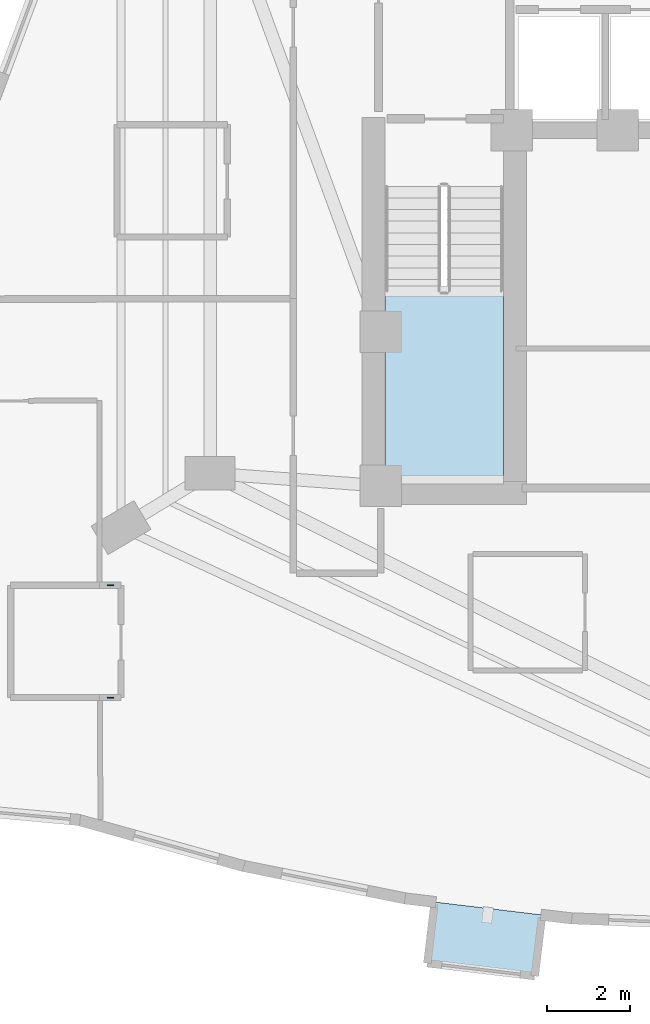
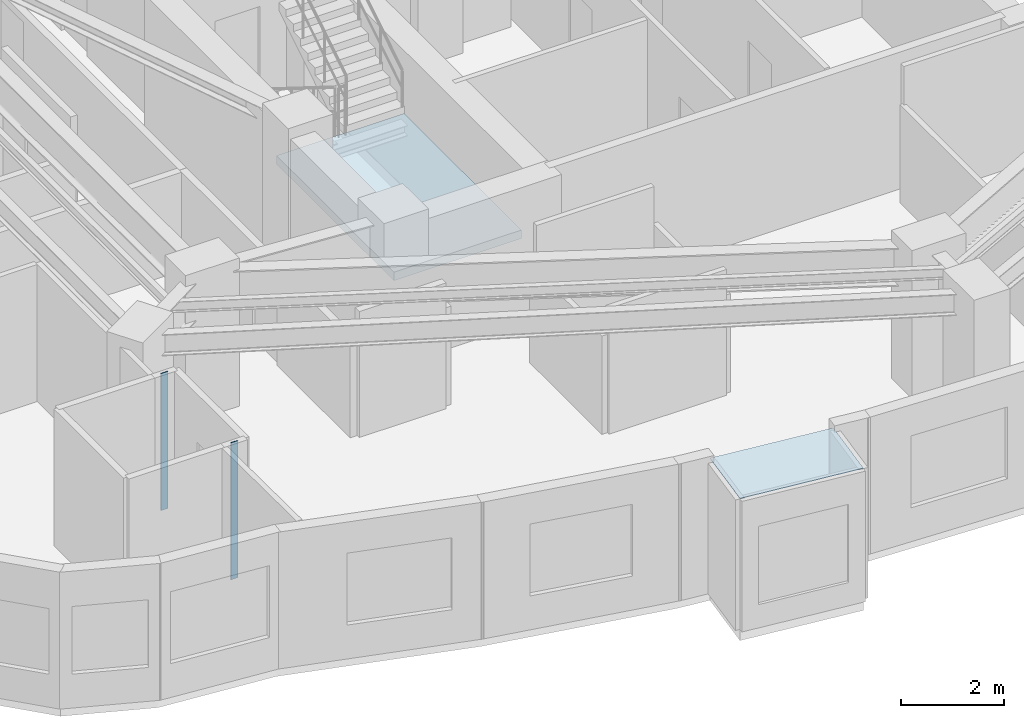
# One storey, part 2 of 11: 3 plates, 1 slab, 1 element without a shape of its own.
"""IFC4 building model written with IfcOpenShell, lengths in metres."""

from ifc_helpers import new_model, si_unit, direction, frame, origin, origin_2d, place, context, subcontext, project, spatial, polyline, rectangle, outline, extrude, material, layer, layer_set, type_object, element, aggregate, save


model = new_model("IFC4")

# Units and contexts
model_context = context("Model", 3, precision=1e-05, world=origin(), true_north=direction((0.0, 1.0)))
body_context = subcontext(model_context, "Body", "Model", "MODEL_VIEW")
ifc_project = project(units=[si_unit("LENGTHUNIT", "METRE"), si_unit("AREAUNIT", "SQUARE_METRE"), si_unit("VOLUMEUNIT", "CUBIC_METRE"), si_unit("PLANEANGLEUNIT", "RADIAN"), si_unit("MASSUNIT", "GRAM", prefix="KILO")], contexts=[model_context])

# Site, building, storey
site_placement = place(None, origin())
site = spatial("IfcSite", under=ifc_project, at=site_placement, CompositionType="ELEMENT")
building_placement = place(site_placement, origin())
building = spatial("IfcBuilding", under=site, at=building_placement, Name="Miruveldt Soraemaru", CompositionType="ELEMENT")
storey_placement = place(building_placement, frame((0.0, 0.0, 152.89990234375)))
storey = spatial("IfcBuildingStorey", under=building, at=storey_placement, Name="L42", CompositionType="ELEMENT", Elevation=152.89990234375)

# Plates
ifc_material_1 = material(Name="Anodised aluminium EN AW-6063 T6", Category="aluminium")
ifc_layer_1 = layer(ifc_material_1, 0.02001953125, Name="Anodised aluminium EN AW-6063 T6", Category="aluminium")
ifc_layer_set_1 = layer_set([ifc_layer_1], Name="Anodised aluminium EN AW-6063 T6")
plate_type_1 = type_object("IfcPlateType", Name="PLT-PART-TRIM", PredefinedType="SHEET", material=ifc_layer_set_1)
for number, where, z_axis, x_axis, name in (
    (1, (29.00390625, 33.110107421875, 0.0), (0.0, 0.0, 1.0), (-1.0, 0.0, 0.0), "L42 Partition Step Corner Trim Plate 043"),
    (2, (29.00390625, 30.409912109375, 0.0), (0.0, 0.0, 1.0), (1.0, 0.0, 0.0), "L42 Partition Step Corner Trim Plate 044"),
):
    element("IfcPlate", number, at=place(storey_placement, frame(where, z_axis=z_axis, x_axis=x_axis)), inside=storey, type_object=plate_type_1, Name=name, PredefinedType="SHEET", context=body_context, shape_type="SweptSolid", body=[
        extrude(rectangle(XDim=0.159912109375, YDim=0.02001953125, at=origin_2d()), origin(), (0.0, 0.0, 1.0), 3.235107421875),
    ])
ifc_material_2 = material(Name="Standing-seam titanium-zinc sheet", Category="aluminium")
ifc_layer_2 = layer(ifc_material_2, 0.011962890625, Name="Standing-seam titanium-zinc sheet", Category="aluminium")
ifc_layer_set_2 = layer_set([ifc_layer_2], Name="Standing-seam titanium-zinc sheet")
plate_type_2 = type_object("IfcPlateType", Name="PLT-ZINC-12", PredefinedType="SHEET", material=ifc_layer_set_2)
plate_placement = place(storey_placement, frame((0.0, 0.0, 3.085205078125)))
element("IfcPlate", 3, at=plate_placement, inside=storey, type_object=plate_type_2, Name="L42 Bay Window Zinc Hood Sheet 1", PredefinedType="SHEET", context=body_context, shape_type="SweptSolid", body=[
    extrude(outline(polyline([(36.799560546875, 25.49658203125), (39.381103515625, 25.186767578125), (39.20458984375, 23.71728515625), (36.623291015625, 24.027099609375), (36.799560546875, 25.49658203125)])), origin(), (0.0, 0.0, 1.0), 0.011962890625),
])

# Stair, slab
ifc_material_3 = material(Name="Concrete C40/50 (40 MPa)", Category="concrete")
stair_type = type_object("IfcStairType", Name="STAIR-DL-350", PredefinedType="HALF_TURN_STAIR", material=ifc_material_3)
stair_placement = place(storey_placement, origin())
stair = element("IfcStair", 4, at=stair_placement, inside=storey, type_object=stair_type, Name="L42 Protected Exit Stair ST-1", PredefinedType="HALF_TURN_STAIR")
ifc_layer_3 = layer(ifc_material_3, 0.199951171875, Name="Concrete C40/50 (40 MPa)", Category="concrete")
ifc_layer_set_3 = layer_set([ifc_layer_3], Name="Concrete C40/50 (40 MPa)")
slab_type = type_object("IfcSlabType", Name="SLAB-LAND-200", PredefinedType="LANDING", material=ifc_layer_set_3)
slab_placement = place(storey_placement, frame((0.0, 0.0, 1.550048828125)))
slab = element("IfcSlab", 5, at=slab_placement, type_object=slab_type, Name="ST-1 landing 1", PredefinedType="LANDING", context=body_context, shape_type="SweptSolid", body=[
    extrude(outline(polyline([(35.60009765625, 40.197998046875), (35.60009765625, 35.64990234375), (38.449951171875, 35.64990234375), (38.449951171875, 40.197998046875), (35.60009765625, 40.197998046875)])), origin(), (0.0, 0.0, 1.0), 0.199951171875),
])
aggregate(stair, [slab])

save(model, "model.ifc")
